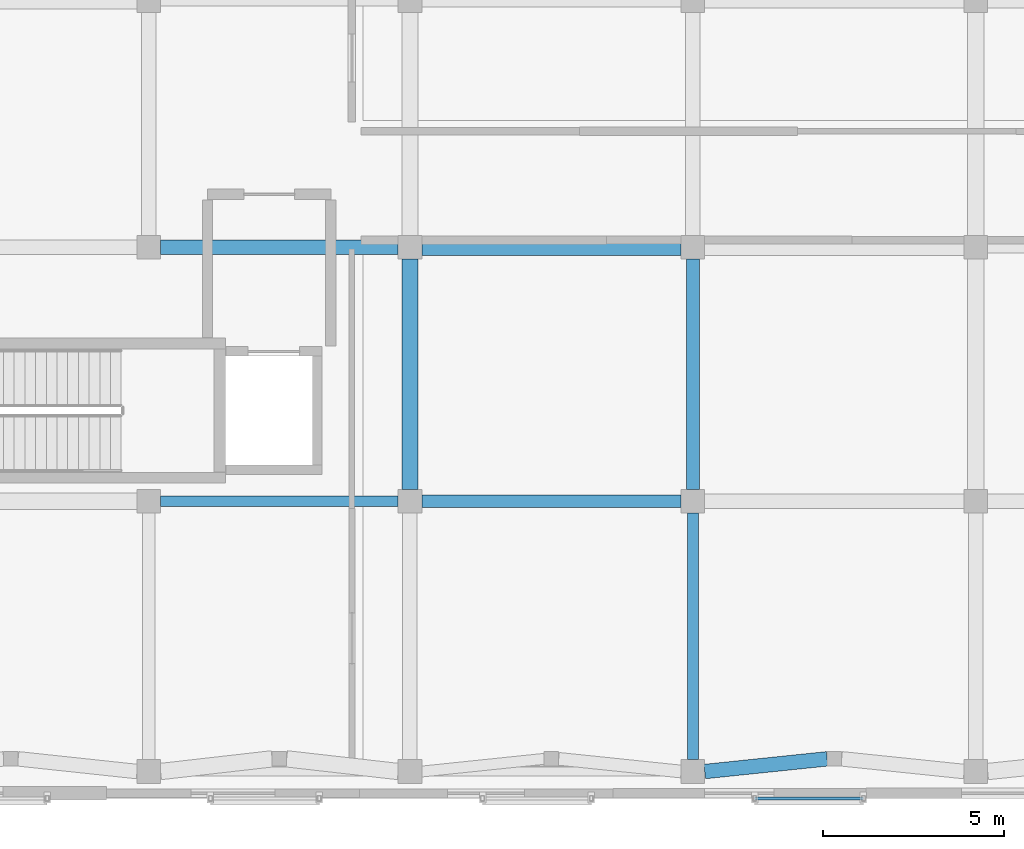
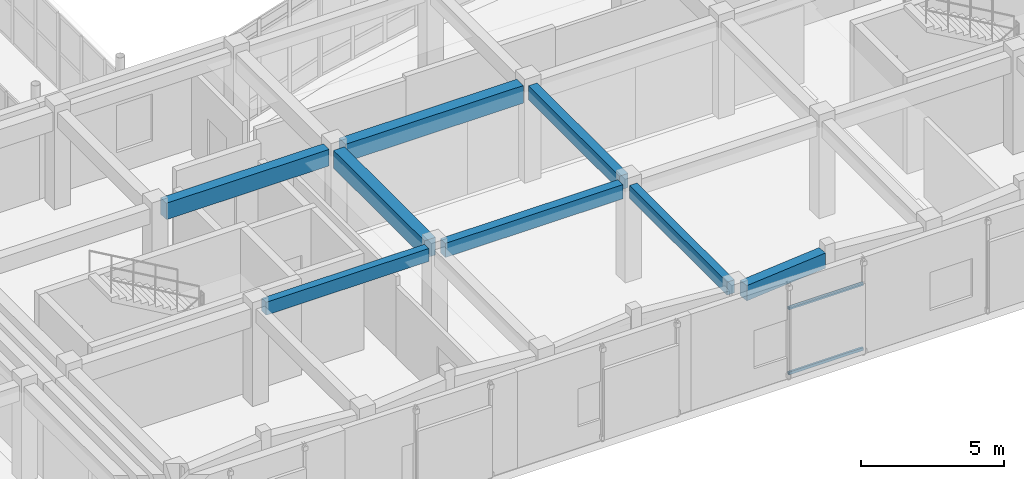
# One storey, part 40 of 142: 8 beams, 2 members.
"""IFC4 building model written with IfcOpenShell, lengths in metres."""

from ifc_helpers import new_model, si_unit, direction, frame, origin, origin_2d, place, context, subcontext, project, spatial, rectangle, hollow_rectangle, extrude, material, material_profile, profile_set, type_object, element, save


model = new_model("IFC4")

# Units and contexts
model_context = context("Model", 3, precision=1e-05, world=origin(), true_north=direction((0.0, 1.0)))
body_context = subcontext(model_context, "Body", "Model", "MODEL_VIEW")
ifc_project = project(units=[si_unit("LENGTHUNIT", "METRE"), si_unit("AREAUNIT", "SQUARE_METRE"), si_unit("VOLUMEUNIT", "CUBIC_METRE"), si_unit("PLANEANGLEUNIT", "RADIAN"), si_unit("MASSUNIT", "GRAM", prefix="KILO")], contexts=[model_context])

# Site, building, storey
site_placement = place(None, origin())
site = spatial("IfcSite", under=ifc_project, at=site_placement, CompositionType="ELEMENT")
building_placement = place(site_placement, origin())
building = spatial("IfcBuilding", under=site, at=building_placement, Name="Valcora Specialist Clinic", CompositionType="ELEMENT")
storey_placement = place(building_placement, frame((0.0, 0.0, 5.10009765625)))
storey = spatial("IfcBuildingStorey", under=building, at=storey_placement, Name="L01", CompositionType="ELEMENT", Elevation=5.10009765625)

# Beams
ifc_material_1 = material(Name="Concrete C40/50", Category="concrete")
ifc_material_profile_1 = material_profile(ifc_material_1, rectangle(XDim=0.300048828125, YDim=0.550048828125, at=origin_2d()), Name="RC-BM-300X550")
ifc_profile_set_1 = profile_set([ifc_material_profile_1], Name="Concrete C40/50")
beam_type_1 = type_object("IfcBeamType", Name="TY-BM-RC300X550", PredefinedType="BEAM", material=ifc_profile_set_1)
beam_1_placement = place(storey_placement, frame((62.125, 8.199951171875, 3.829833984375), z_axis=(1.0, 0.0, 0.0), x_axis=(0.0, 1.0, 0.0)))
element("IfcBeam", 1, at=beam_1_placement, inside=storey, type_object=beam_type_1, Name="Beam BM-L01-1303", PredefinedType="BEAM", context=body_context, shape_type="SweptSolid", body=[
    extrude(rectangle(XDim=0.300048828125, YDim=0.550048828125, at=origin_2d()), origin(), (0.0, 0.0, 1.0), 6.550048828125),
])
beam_2_placement = place(storey_placement, frame((76.800048828125, 1.074951171875, 3.829833984375), z_axis=(0.0, 1.0, 0.0), x_axis=(-1.0, 0.0, 0.0)))
element("IfcBeam", 2, at=beam_2_placement, inside=storey, type_object=beam_type_1, Name="Beam BM-L01-1337", PredefinedType="BEAM", context=body_context, shape_type="SweptSolid", body=[
    extrude(rectangle(XDim=0.300048828125, YDim=0.550048828125, at=origin_2d()), origin(), (0.0, 0.0, 1.0), 6.800048828125),
])
ifc_material_profile_2 = material_profile(ifc_material_1, rectangle(XDim=0.35009765625, YDim=0.60009765625, at=origin_2d()), Name="RC-BM-350X600")
ifc_profile_set_2 = profile_set([ifc_material_profile_2], Name="Concrete C40/50")
beam_type_2 = type_object("IfcBeamType", Name="TY-BM-RC350X600", PredefinedType="BEAM", material=ifc_profile_set_2)
beam_3_placement = place(storey_placement, frame((69.324951171875, 8.199951171875, 3.804931640625), z_axis=(1.0, 0.0, 0.0), x_axis=(0.0, 1.0, 0.0)))
element("IfcBeam", 3, at=beam_3_placement, inside=storey, type_object=beam_type_2, Name="Beam BM-L01-1304", PredefinedType="BEAM", context=body_context, shape_type="SweptSolid", body=[
    extrude(rectangle(XDim=0.35009765625, YDim=0.60009765625, at=origin_2d()), origin(), (0.0, 0.0, 1.0), 7.150146484375),
])
beam_4_placement = place(storey_placement, frame((76.800048828125, 8.52490234375, 3.804931640625), z_axis=(0.0, 1.0, 0.0), x_axis=(-1.0, 0.0, 0.0)))
element("IfcBeam", 4, at=beam_4_placement, inside=storey, type_object=beam_type_2, Name="Beam BM-L01-1338", PredefinedType="BEAM", context=body_context, shape_type="SweptSolid", body=[
    extrude(rectangle(XDim=0.35009765625, YDim=0.60009765625, at=origin_2d()), origin(), (0.0, 0.0, 1.0), 6.35009765625),
])
ifc_material_profile_3 = material_profile(ifc_material_1, rectangle(XDim=0.39990234375, YDim=0.64990234375, at=origin_2d()), Name="RC-BM-400X650")
ifc_profile_set_3 = profile_set([ifc_material_profile_3], Name="Concrete C40/50")
beam_type_3 = type_object("IfcBeamType", Name="TY-BM-RC400X650", PredefinedType="BEAM", material=ifc_profile_set_3)
beam_5_placement = place(storey_placement, frame((77.125, 0.75, 3.77978515625), z_axis=(0.994662804408, 0.103178997506, 0.0), x_axis=(-0.103178997506, 0.994662804408, 0.0)))
element("IfcBeam", 5, at=beam_5_placement, inside=storey, type_object=beam_type_3, Name="Beam BM-L01-1293", PredefinedType="BEAM", context=body_context, shape_type="SweptSolid", body=[
    extrude(rectangle(XDim=0.39990234375, YDim=0.64990234375, at=origin_2d()), origin(), (0.0, 0.0, 1.0), 3.39306640625),
])
ifc_material_profile_4 = material_profile(ifc_material_1, rectangle(XDim=0.39990234375, YDim=0.699951171875, at=origin_2d()), Name="RC-BM-400X700")
ifc_profile_set_4 = profile_set([ifc_material_profile_4], Name="Concrete C40/50")
beam_type_4 = type_object("IfcBeamType", Name="TY-BM-RC400X700", PredefinedType="BEAM", material=ifc_profile_set_4)
beam_6_placement = place(storey_placement, frame((62.125, 15.199951171875, 3.7548828125), z_axis=(1.0, 0.0, 0.0), x_axis=(0.0, 1.0, 0.0)))
element("IfcBeam", 6, at=beam_6_placement, inside=storey, type_object=beam_type_4, Name="Beam BM-L01-1312", PredefinedType="BEAM", context=body_context, shape_type="SweptSolid", body=[
    extrude(rectangle(XDim=0.39990234375, YDim=0.699951171875, at=origin_2d()), origin(), (0.0, 0.0, 1.0), 6.550048828125),
])
ifc_material_profile_5 = material_profile(ifc_material_1, rectangle(XDim=0.449951171875, YDim=0.75, at=origin_2d()), Name="RC-BM-450X750")
ifc_profile_set_5 = profile_set([ifc_material_profile_5], Name="Concrete C40/50")
beam_type_5 = type_object("IfcBeamType", Name="TY-BM-RC450X750", PredefinedType="BEAM", material=ifc_profile_set_5)
beam_7_placement = place(storey_placement, frame((69.324951171875, 15.199951171875, 3.72998046875), z_axis=(1.0, 0.0, 0.0), x_axis=(0.0, 1.0, 0.0)))
element("IfcBeam", 7, at=beam_7_placement, inside=storey, type_object=beam_type_5, Name="Beam BM-L01-1313", PredefinedType="BEAM", context=body_context, shape_type="SweptSolid", body=[
    extrude(rectangle(XDim=0.449951171875, YDim=0.75, at=origin_2d()), origin(), (0.0, 0.0, 1.0), 7.150146484375),
])
beam_8_placement = place(storey_placement, frame((69.0, 8.52490234375, 3.72998046875), z_axis=(0.0, 1.0, 0.0), x_axis=(-1.0, 0.0, 0.0)))
element("IfcBeam", 8, at=beam_8_placement, inside=storey, type_object=beam_type_5, Name="Beam BM-L01-1335", PredefinedType="BEAM", context=body_context, shape_type="SweptSolid", body=[
    extrude(rectangle(XDim=0.449951171875, YDim=0.75, at=origin_2d()), origin(), (0.0, 0.0, 1.0), 6.35009765625),
])

# Members
ifc_material_2 = material(Name="Steel ASTM A500 Grade C", Category="steel")
ifc_material_profile_6 = material_profile(ifc_material_2, hollow_rectangle(XDim=0.080078125, YDim=0.1201171875, WallThickness=0.0048828125, at=origin_2d()), Name="ST-RHS-120X80X5")
ifc_profile_set_6 = profile_set([ifc_material_profile_6], Name="Steel ASTM A500 Grade C")
member_type = type_object("IfcMemberType", Name="TY-MB-SFRAIL", PredefinedType="STRINGER", material=ifc_profile_set_6)
for number, where, z_axis, x_axis, name in (
    (9, (78.5, 0.010009765625, 0.239990234375), (1.0, 0.0, 0.0), (0.0, 1.0, 0.0), "Brick screen carrier rail 71"),
    (10, (78.5, 0.010009765625, 3.0), (1.0, 0.0, 0.0), (0.0, 1.0, 0.0), "Brick screen carrier rail 72"),
):
    element("IfcMember", number, at=place(storey_placement, frame(where, z_axis=z_axis, x_axis=x_axis)), inside=storey, type_object=member_type, Name=name, PredefinedType="STRINGER", context=body_context, shape_type="SweptSolid", body=[
        extrude(hollow_rectangle(XDim=0.080078125, YDim=0.1201171875, WallThickness=0.0048828125, at=origin_2d()), origin(), (0.0, 0.0, 1.0), 3.0),
    ])

save(model, "model.ifc")
